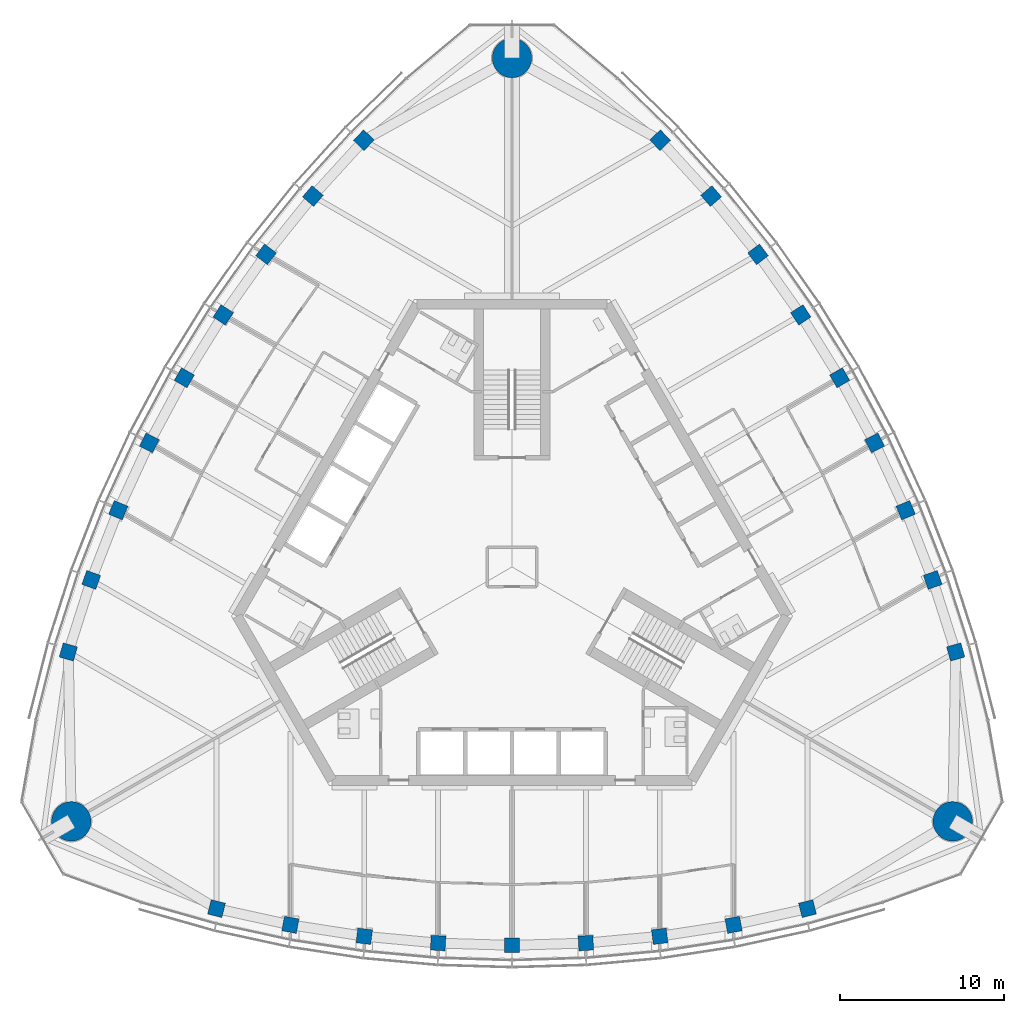
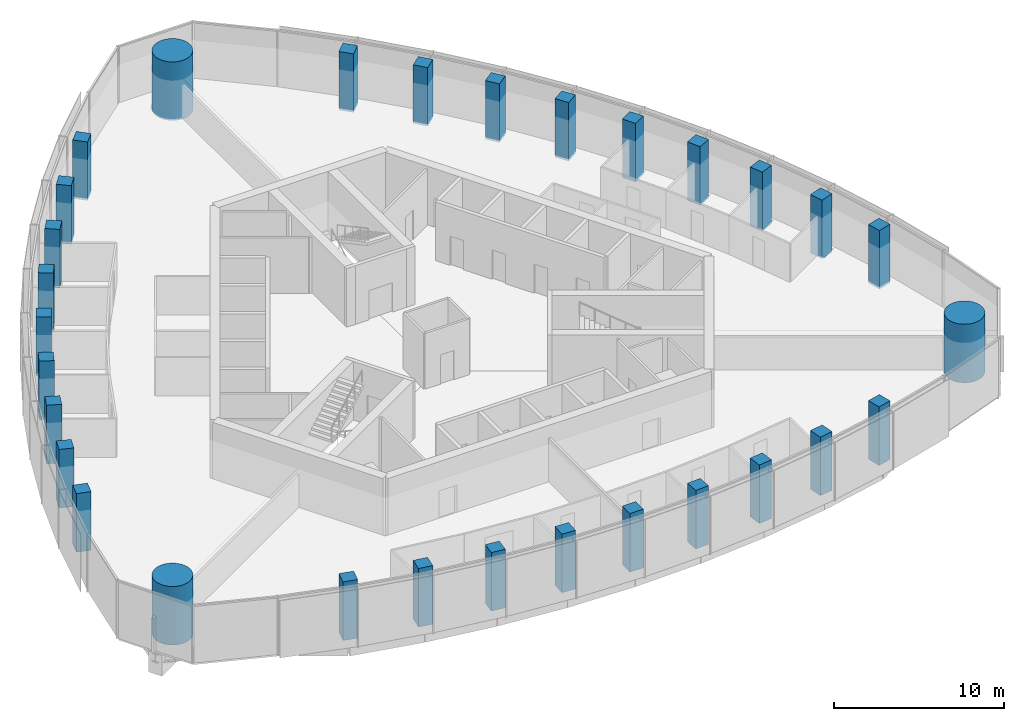
# One storey, part 1 of 16: 30 columns.
"""IFC4 building model written with IfcOpenShell, lengths in metres."""

from ifc_helpers import new_model, si_unit, direction, frame, origin, origin_2d, place, context, subcontext, project, spatial, rectangle, circle, extrude, material, material_profile, profile_set, type_object, element, save


model = new_model("IFC4")

# Units and contexts
model_context = context("Model", 3, precision=1e-05, world=origin(), true_north=direction((0.0, 1.0)))
body_context = subcontext(model_context, "Body", "Model", "MODEL_VIEW")
ifc_project = project(units=[si_unit("LENGTHUNIT", "METRE"), si_unit("AREAUNIT", "SQUARE_METRE"), si_unit("VOLUMEUNIT", "CUBIC_METRE"), si_unit("PLANEANGLEUNIT", "RADIAN"), si_unit("MASSUNIT", "GRAM", prefix="KILO")], contexts=[model_context])

# Site, building, storey
site_placement = place(None, origin())
site = spatial("IfcSite", under=ifc_project, at=site_placement, CompositionType="ELEMENT")
building_placement = place(site_placement, origin())
building = spatial("IfcBuilding", under=site, at=building_placement, Name="Trefoil Bronze Tower", CompositionType="ELEMENT")
storey_placement = place(building_placement, frame((0.0, 0.0, 305.699951171875)))
storey = spatial("IfcBuildingStorey", under=building, at=storey_placement, Name="L70", CompositionType="ELEMENT", Elevation=305.699951171875)

# Columns
ifc_material_1 = material(Name="Concrete B80", Category="concrete")
ifc_material_profile_1 = material_profile(ifc_material_1, circle(Radius=1.199951171875, at=origin_2d()), Name="RC D2400")
ifc_profile_set_1 = profile_set([ifc_material_profile_1], Name="Concrete B80")
column_type_1 = type_object("IfcColumnType", Name="Mega column RC D2400", PredefinedType="COLUMN", material=ifc_profile_set_1)
for number, where, z_axis, x_axis, name in (
    (1, (26.8466796875, -15.5, 0.0), (0.0, 0.0, 1.0), (1.0, 0.0, 0.0), "Mega column K1 L70"),
    (2, (0.0, 31.0, 0.0), (0.0, 0.0, 1.0), (1.0, 0.0, 0.0), "Mega column K2 L70"),
    (3, (-26.8466796875, -15.5, 0.0), (0.0, 0.0, 1.0), (1.0, 0.0, 0.0), "Mega column K3 L70"),
):
    element("IfcColumn", number, at=place(storey_placement, frame(where, z_axis=z_axis, x_axis=x_axis)), inside=storey, type_object=column_type_1, Name=name, PredefinedType="COLUMN", context=body_context, shape_type="SweptSolid", body=[
        extrude(circle(Radius=1.199951171875, at=origin_2d()), origin(), (0.0, 0.0, 1.0), 4.199951171875),
    ])
ifc_material_2 = material(Name="Concrete B80", Category="concrete")
ifc_material_profile_2 = material_profile(ifc_material_2, rectangle(XDim=0.89990234375, YDim=0.89990234375, at=origin_2d()), Name="RC 900x900")
ifc_profile_set_2 = profile_set([ifc_material_profile_2], Name="Concrete B80")
column_type_2 = type_object("IfcColumnType", Name="Tube column RC 900x900", PredefinedType="COLUMN", material=ifc_profile_set_2)
for number, where, z_axis, x_axis, name in (
    (4, (-18.0, -20.816162109375, 0.0), (0.0, 0.0, 1.0), (0.97017777199, -0.242394494031, 0.0), "Tube column F1/-4 L70"),
    (5, (-13.5, -21.802734375, 0.0), (0.0, 0.0, 1.0), (0.983360067227, -0.181667218242, 0.0), "Tube column F1/-3 L70"),
    (6, (-9.0, -22.499267578125, 0.0), (0.0, 0.0, 1.0), (0.992639174109, -0.121109330868, 0.0), "Tube column F1/-2 L70"),
    (7, (-4.5, -22.913818359375, 0.0), (0.0, 0.0, 1.0), (0.998164920349, -0.060554040199, 0.0), "Tube column F1/-1 L70"),
    (8, (0.0, -23.051513671875, 0.0), (0.0, 0.0, 1.0), (1.0, 0.0, 0.0), "Tube column F1/+0 L70"),
    (9, (4.5, -22.913818359375, 0.0), (0.0, 0.0, 1.0), (0.998164920349, 0.060554040199, 0.0), "Tube column F1/+1 L70"),
    (10, (9.0, -22.499267578125, 0.0), (0.0, 0.0, 1.0), (0.992639174109, 0.121109330868, 0.0), "Tube column F1/+2 L70"),
    (11, (13.5, -21.802734375, 0.0), (0.0, 0.0, 1.0), (0.983360067227, 0.181667218242, 0.0), "Tube column F1/+3 L70"),
    (12, (18.0, -20.816162109375, 0.0), (0.0, 0.0, 1.0), (0.97017777199, 0.242394494031, 0.0), "Tube column F1/+4 L70"),
    (13, (27.02734375, -5.180419921875, 0.0), (0.0, 0.0, 1.0), (-0.275169096426, 0.961395843746, 0.0), "Tube column F2/-4 L70"),
    (14, (25.631591796875, -0.7900390625, 0.0), (0.0, 0.0, 1.0), (-0.334351607581, 0.942448408407, 0.0), "Tube column F2/-3 L70"),
    (15, (23.98486328125, 3.455322265625, 0.0), (0.0, 0.0, 1.0), (-0.391435829888, 0.920205407004, 0.0), "Tube column F2/-2 L70"),
    (16, (22.093994140625, 7.559814453125, 0.0), (0.0, 0.0, 1.0), (-0.44664112306, 0.894713198289, 0.0), "Tube column F2/-1 L70"),
    (17, (19.96337890625, 11.52587890625, 0.0), (0.0, 0.0, 1.0), (-0.5, 0.866025403784, 0.0), "Tube column F2/+0 L70"),
    (18, (17.593994140625, 15.35400390625, 0.0), (0.0, 0.0, 1.0), (-0.551523797289, 0.834159158089, 0.0), "Tube column F2/+1 L70"),
    (19, (14.98486328125, 19.043701171875, 0.0), (0.0, 0.0, 1.0), (-0.601203344222, 0.799096076136, 0.0), "Tube column F2/+2 L70"),
    (20, (12.131591796875, 22.5927734375, 0.0), (0.0, 0.0, 1.0), (-0.649008459646, 0.760781190165, 0.0), "Tube column F2/+3 L70"),
    (21, (9.02734375, 25.99658203125, 0.0), (0.0, 0.0, 1.0), (-0.695008675564, 0.719001349715, 0.0), "Tube column F2/+4 L70"),
    (22, (-9.02734375, 25.99658203125, 0.0), (0.0, 0.0, 1.0), (-0.695008675564, -0.719001349715, 0.0), "Tube column F3/-4 L70"),
    (23, (-12.131591796875, 22.5927734375, 0.0), (0.0, 0.0, 1.0), (-0.649008459646, -0.760781190165, 0.0), "Tube column F3/-3 L70"),
    (24, (-14.98486328125, 19.043701171875, 0.0), (0.0, 0.0, 1.0), (-0.601203344222, -0.799096076136, 0.0), "Tube column F3/-2 L70"),
    (25, (-17.593994140625, 15.35400390625, 0.0), (0.0, 0.0, 1.0), (-0.551523797289, -0.834159158089, 0.0), "Tube column F3/-1 L70"),
    (26, (-19.96337890625, 11.52587890625, 0.0), (0.0, 0.0, 1.0), (-0.5, -0.866025403784, 0.0), "Tube column F3/+0 L70"),
    (27, (-22.093994140625, 7.559814453125, 0.0), (0.0, 0.0, 1.0), (-0.44664112306, -0.894713198289, 0.0), "Tube column F3/+1 L70"),
    (28, (-23.98486328125, 3.455322265625, 0.0), (0.0, 0.0, 1.0), (-0.391435829888, -0.920205407004, 0.0), "Tube column F3/+2 L70"),
    (29, (-25.631591796875, -0.7900390625, 0.0), (0.0, 0.0, 1.0), (-0.334351607581, -0.942448408407, 0.0), "Tube column F3/+3 L70"),
    (30, (-27.02734375, -5.180419921875, 0.0), (0.0, 0.0, 1.0), (-0.275169096426, -0.961395843746, 0.0), "Tube column F3/+4 L70"),
):
    element("IfcColumn", number, at=place(storey_placement, frame(where, z_axis=z_axis, x_axis=x_axis)), inside=storey, type_object=column_type_2, Name=name, PredefinedType="COLUMN", context=body_context, shape_type="SweptSolid", body=[
        extrude(rectangle(XDim=0.89990234375, YDim=0.89990234375, at=origin_2d()), origin(), (0.0, 0.0, 1.0), 4.199951171875),
    ])

save(model, "model.ifc")
